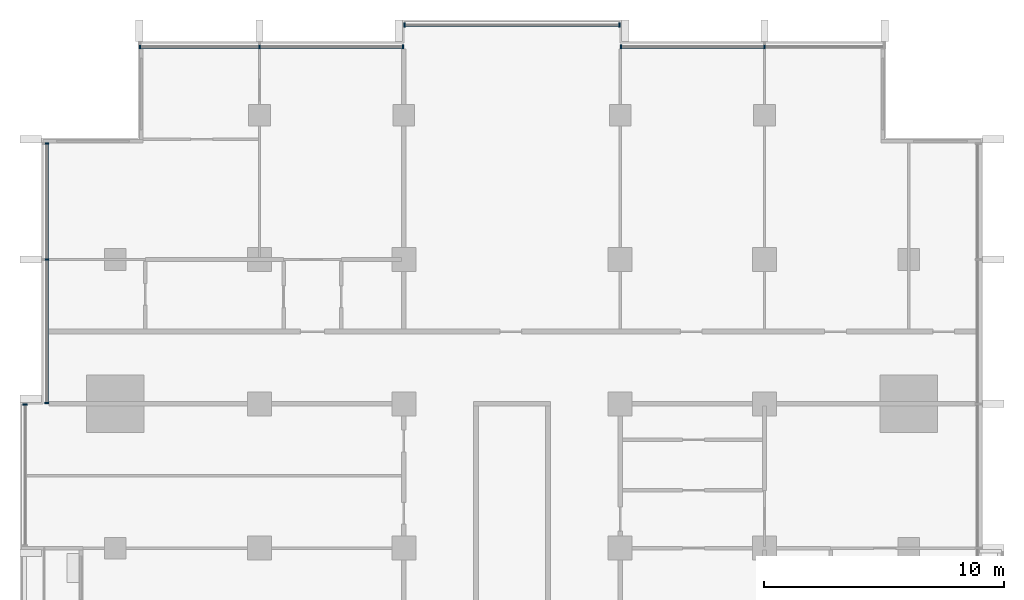
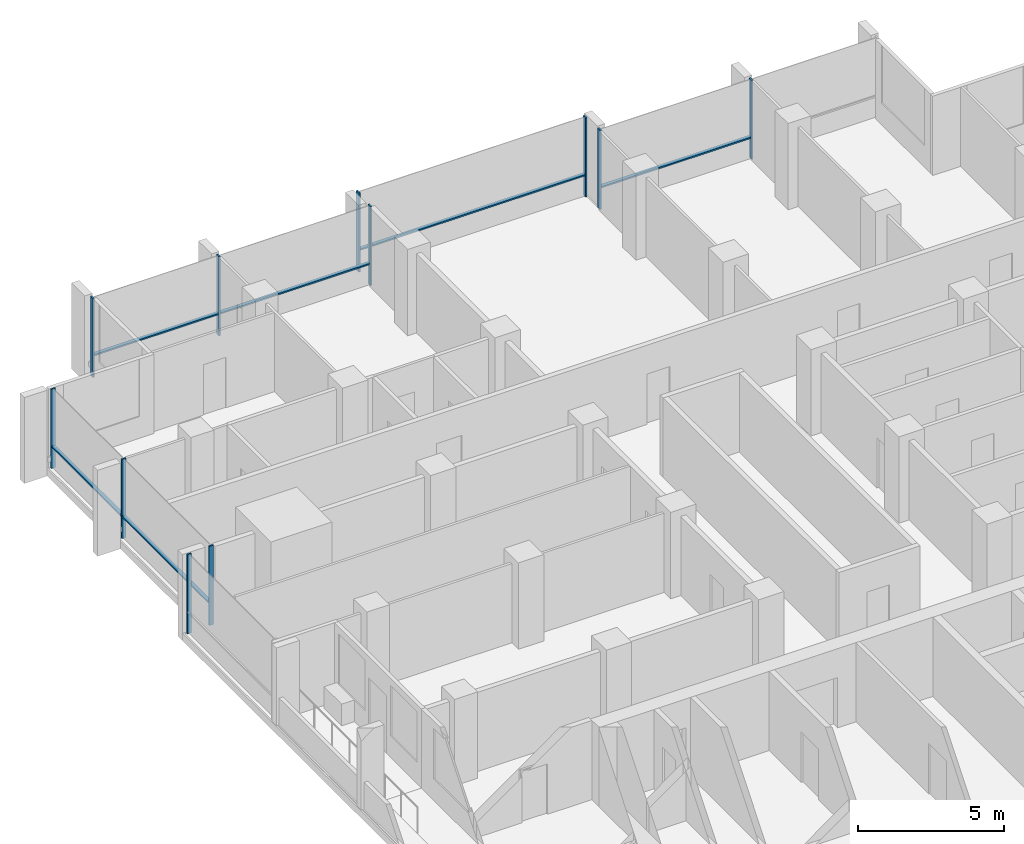
# One storey, part 4 of 16: 17 members, 5 elements without a shape of their own.
"""IFC4 building model written with IfcOpenShell, lengths in metres."""

from ifc_helpers import new_model, si_unit, direction, frame, origin, origin_2d, place, context, subcontext, project, spatial, rectangle, extrude, material, material_profile, profile_set, type_object, element, aggregate, save


model = new_model("IFC4")

# Units and contexts
model_context = context("Model", 3, precision=1e-05, world=origin(), true_north=direction((0.0, 1.0)))
body_context = subcontext(model_context, "Body", "Model", "MODEL_VIEW")
ifc_project = project(units=[si_unit("LENGTHUNIT", "METRE"), si_unit("AREAUNIT", "SQUARE_METRE"), si_unit("VOLUMEUNIT", "CUBIC_METRE"), si_unit("PLANEANGLEUNIT", "RADIAN"), si_unit("MASSUNIT", "GRAM", prefix="KILO")], contexts=[model_context])

# Site, building, storey
site_placement = place(None, origin())
site = spatial("IfcSite", under=ifc_project, at=site_placement, CompositionType="ELEMENT")
building_placement = place(site_placement, origin())
building = spatial("IfcBuilding", under=site, at=building_placement, Name="Finial Court Residences", CompositionType="ELEMENT")
storey_placement = place(building_placement, frame((0.0, 0.0, 188.89990234375)))
storey = spatial("IfcBuildingStorey", under=building, at=storey_placement, Name="L47", CompositionType="ELEMENT", Elevation=188.89990234375)

# Curtain wall, members
ifc_material = material(Name="Bronze anodised aluminium", Category="aluminium")
curtain_wall_type = type_object("IfcCurtainWallType", Name="Unitised curtain wall, upper zones", PredefinedType="NOTDEFINED", material=ifc_material)
curtain_wall_1_placement = place(storey_placement, origin())
curtain_wall_1 = element("IfcCurtainWall", 1, at=curtain_wall_1_placement, inside=storey, type_object=curtain_wall_type, Name="E-L47-CW-N1", PredefinedType="NOTDEFINED")
ifc_material_profile_1 = material_profile(ifc_material, rectangle(XDim=0.175048828125, YDim=0.06005859375, at=origin_2d()), Name="CW2 mullion 60 x 175")
ifc_profile_set_1 = profile_set([ifc_material_profile_1], Name="Bronze anodised aluminium")
member_type_1 = type_object("IfcMemberType", Name="CW2 mullion 60 x 175", PredefinedType="MULLION", material=ifc_profile_set_1)
member_1_placement = place(storey_placement, frame((-15.469970703125, 22.35009765625, 0.0), z_axis=(0.0, 0.0, 1.0), x_axis=(0.0, 1.0, 0.0)))
member_1 = element("IfcMember", 2, at=member_1_placement, type_object=member_type_1, Name="CW2 mullion 1", PredefinedType="MULLION", context=body_context, shape_type="SweptSolid", body=[
    extrude(rectangle(XDim=0.175048828125, YDim=0.06005859375, at=origin_2d()), origin(), (0.0, 0.0, 1.0), 3.300048828125),
])
member_2_placement = place(storey_placement, frame((-10.5, 22.35009765625, 0.0), z_axis=(0.0, 0.0, 1.0), x_axis=(0.0, 1.0, 0.0)))
member_2 = element("IfcMember", 3, at=member_2_placement, type_object=member_type_1, Name="CW2 mullion 2", PredefinedType="MULLION", context=body_context, shape_type="SweptSolid", body=[
    extrude(rectangle(XDim=0.175048828125, YDim=0.06005859375, at=origin_2d()), origin(), (0.0, 0.0, 1.0), 3.300048828125),
])
member_3_placement = place(storey_placement, frame((-4.530029296875, 22.35009765625, 0.0), z_axis=(0.0, 0.0, 1.0), x_axis=(0.0, 1.0, 0.0)))
member_3 = element("IfcMember", 4, at=member_3_placement, type_object=member_type_1, Name="CW2 mullion 3", PredefinedType="MULLION", context=body_context, shape_type="SweptSolid", body=[
    extrude(rectangle(XDim=0.175048828125, YDim=0.06005859375, at=origin_2d()), origin(), (0.0, 0.0, 1.0), 3.300048828125),
])

curtain_wall_2_placement = place(storey_placement, origin())
curtain_wall_2 = element("IfcCurtainWall", 5, at=curtain_wall_2_placement, inside=storey, type_object=curtain_wall_type, Name="E-L47-CW-N2", PredefinedType="NOTDEFINED")
member_4_placement = place(storey_placement, frame((-4.469970703125, 23.25, 0.0), z_axis=(0.0, 0.0, 1.0), x_axis=(0.0, 1.0, 0.0)))
member_4 = element("IfcMember", 6, at=member_4_placement, type_object=member_type_1, Name="CW2 mullion 1", PredefinedType="MULLION", context=body_context, shape_type="SweptSolid", body=[
    extrude(rectangle(XDim=0.175048828125, YDim=0.06005859375, at=origin_2d()), origin(), (0.0, 0.0, 1.0), 3.300048828125),
])
member_5_placement = place(storey_placement, frame((4.469970703125, 23.25, 0.0), z_axis=(0.0, 0.0, 1.0), x_axis=(0.0, 1.0, 0.0)))
member_5 = element("IfcMember", 7, at=member_5_placement, type_object=member_type_1, Name="CW2 mullion 2", PredefinedType="MULLION", context=body_context, shape_type="SweptSolid", body=[
    extrude(rectangle(XDim=0.175048828125, YDim=0.06005859375, at=origin_2d()), origin(), (0.0, 0.0, 1.0), 3.300048828125),
])

curtain_wall_3_placement = place(storey_placement, origin())
curtain_wall_3 = element("IfcCurtainWall", 8, at=curtain_wall_3_placement, inside=storey, type_object=curtain_wall_type, Name="E-L47-CW-N3", PredefinedType="NOTDEFINED")
member_6_placement = place(storey_placement, frame((4.530029296875, 22.35009765625, 0.0), z_axis=(0.0, 0.0, 1.0), x_axis=(0.0, 1.0, 0.0)))
member_6 = element("IfcMember", 9, at=member_6_placement, type_object=member_type_1, Name="CW2 mullion 1", PredefinedType="MULLION", context=body_context, shape_type="SweptSolid", body=[
    extrude(rectangle(XDim=0.175048828125, YDim=0.06005859375, at=origin_2d()), origin(), (0.0, 0.0, 1.0), 3.300048828125),
])
member_7_placement = place(storey_placement, frame((10.5, 22.35009765625, 0.0), z_axis=(0.0, 0.0, 1.0), x_axis=(0.0, 1.0, 0.0)))
member_7 = element("IfcMember", 10, at=member_7_placement, type_object=member_type_1, Name="CW2 mullion 2", PredefinedType="MULLION", context=body_context, shape_type="SweptSolid", body=[
    extrude(rectangle(XDim=0.175048828125, YDim=0.06005859375, at=origin_2d()), origin(), (0.0, 0.0, 1.0), 3.300048828125),
])

# Curtain wall, member
curtain_wall_4_placement = place(storey_placement, origin())
curtain_wall_4 = element("IfcCurtainWall", 11, at=curtain_wall_4_placement, inside=storey, type_object=curtain_wall_type, Name="E-L47-CW-W10", PredefinedType="NOTDEFINED")
member_8_placement = place(storey_placement, frame((-20.25, 7.469970703125, 0.0), z_axis=(0.0, 0.0, 1.0), x_axis=(-1.0, 0.0, 0.0)))
member_8 = element("IfcMember", 12, at=member_8_placement, type_object=member_type_1, Name="CW2 mullion 2", PredefinedType="MULLION", context=body_context, shape_type="SweptSolid", body=[
    extrude(rectangle(XDim=0.175048828125, YDim=0.06005859375, at=origin_2d()), origin(), (0.0, 0.0, 1.0), 3.300048828125),
])
aggregate(curtain_wall_4, [member_8])

# Curtain wall, members
curtain_wall_5_placement = place(storey_placement, origin())
curtain_wall_5 = element("IfcCurtainWall", 13, at=curtain_wall_5_placement, inside=storey, type_object=curtain_wall_type, Name="E-L47-CW-W11", PredefinedType="NOTDEFINED")
member_9_placement = place(storey_placement, frame((-19.35009765625, 7.530029296875, 0.0), z_axis=(0.0, 0.0, 1.0), x_axis=(-1.0, 0.0, 0.0)))
member_9 = element("IfcMember", 14, at=member_9_placement, type_object=member_type_1, Name="CW2 mullion 1", PredefinedType="MULLION", context=body_context, shape_type="SweptSolid", body=[
    extrude(rectangle(XDim=0.175048828125, YDim=0.06005859375, at=origin_2d()), origin(), (0.0, 0.0, 1.0), 3.300048828125),
])
member_10_placement = place(storey_placement, frame((-19.35009765625, 13.5, 0.0), z_axis=(0.0, 0.0, 1.0), x_axis=(-1.0, 0.0, 0.0)))
member_10 = element("IfcMember", 15, at=member_10_placement, type_object=member_type_1, Name="CW2 mullion 2", PredefinedType="MULLION", context=body_context, shape_type="SweptSolid", body=[
    extrude(rectangle(XDim=0.175048828125, YDim=0.06005859375, at=origin_2d()), origin(), (0.0, 0.0, 1.0), 3.300048828125),
])
member_11_placement = place(storey_placement, frame((-19.35009765625, 18.320068359375, 0.0), z_axis=(0.0, 0.0, 1.0), x_axis=(-1.0, 0.0, 0.0)))
member_11 = element("IfcMember", 16, at=member_11_placement, type_object=member_type_1, Name="CW2 mullion 3", PredefinedType="MULLION", context=body_context, shape_type="SweptSolid", body=[
    extrude(rectangle(XDim=0.175048828125, YDim=0.06005859375, at=origin_2d()), origin(), (0.0, 0.0, 1.0), 3.300048828125),
])

# Member
ifc_material_profile_2 = material_profile(ifc_material, rectangle(XDim=0.139892578125, YDim=0.06005859375, at=origin_2d()), Name="CW2 transom 60 x 140")
ifc_profile_set_2 = profile_set([ifc_material_profile_2], Name="Bronze anodised aluminium")
member_type_2 = type_object("IfcMemberType", Name="CW2 transom 60 x 140", PredefinedType="USERDEFINED", material=ifc_profile_set_2)
member_12_placement = place(storey_placement, frame((-15.43994140625, 22.35009765625, 0.900146484375), z_axis=(1.0, 0.0, 0.0), x_axis=(0.0, 1.0, 0.0)))
member_12 = element("IfcMember", 17, at=member_12_placement, type_object=member_type_2, Name="CW2 transom 1.1", ObjectType="TRANSOM", PredefinedType="USERDEFINED", context=body_context, shape_type="SweptSolid", body=[
    extrude(rectangle(XDim=0.139892578125, YDim=0.06005859375, at=origin_2d()), origin(), (0.0, 0.0, 1.0), 4.909912109375),
])

member_13_placement = place(storey_placement, frame((-10.469970703125, 22.35009765625, 0.900146484375), z_axis=(1.0, 0.0, 0.0), x_axis=(0.0, 1.0, 0.0)))
member_13 = element("IfcMember", 18, at=member_13_placement, type_object=member_type_2, Name="CW2 transom 2.1", ObjectType="TRANSOM", PredefinedType="USERDEFINED", context=body_context, shape_type="SweptSolid", body=[
    extrude(rectangle(XDim=0.139892578125, YDim=0.06005859375, at=origin_2d()), origin(), (0.0, 0.0, 1.0), 5.909912109375),
])

aggregate(curtain_wall_1, [member_1, member_2, member_3, member_12, member_13])

member_14_placement = place(storey_placement, frame((-4.43994140625, 23.25, 0.900146484375), z_axis=(1.0, 0.0, 0.0), x_axis=(0.0, 1.0, 0.0)))
member_14 = element("IfcMember", 19, at=member_14_placement, type_object=member_type_2, Name="CW2 transom 1.1", ObjectType="TRANSOM", PredefinedType="USERDEFINED", context=body_context, shape_type="SweptSolid", body=[
    extrude(rectangle(XDim=0.139892578125, YDim=0.06005859375, at=origin_2d()), origin(), (0.0, 0.0, 1.0), 8.8798828125),
])

aggregate(curtain_wall_2, [member_4, member_5, member_14])

member_15_placement = place(storey_placement, frame((4.56005859375, 22.35009765625, 0.900146484375), z_axis=(1.0, 0.0, 0.0), x_axis=(0.0, 1.0, 0.0)))
member_15 = element("IfcMember", 20, at=member_15_placement, type_object=member_type_2, Name="CW2 transom 1.1", ObjectType="TRANSOM", PredefinedType="USERDEFINED", context=body_context, shape_type="SweptSolid", body=[
    extrude(rectangle(XDim=0.139892578125, YDim=0.06005859375, at=origin_2d()), origin(), (0.0, 0.0, 1.0), 5.909912109375),
])

aggregate(curtain_wall_3, [member_6, member_7, member_15])

member_16_placement = place(storey_placement, frame((-19.35009765625, 7.56005859375, 0.900146484375), z_axis=(0.0, 1.0, 0.0), x_axis=(-1.0, 0.0, 0.0)))
member_16 = element("IfcMember", 21, at=member_16_placement, type_object=member_type_2, Name="CW2 transom 1.1", ObjectType="TRANSOM", PredefinedType="USERDEFINED", context=body_context, shape_type="SweptSolid", body=[
    extrude(rectangle(XDim=0.139892578125, YDim=0.06005859375, at=origin_2d()), origin(), (0.0, 0.0, 1.0), 5.909912109375),
])

member_17_placement = place(storey_placement, frame((-19.35009765625, 13.530029296875, 0.900146484375), z_axis=(0.0, 1.0, 0.0), x_axis=(-1.0, 0.0, 0.0)))
member_17 = element("IfcMember", 22, at=member_17_placement, type_object=member_type_2, Name="CW2 transom 2.1", ObjectType="TRANSOM", PredefinedType="USERDEFINED", context=body_context, shape_type="SweptSolid", body=[
    extrude(rectangle(XDim=0.139892578125, YDim=0.06005859375, at=origin_2d()), origin(), (0.0, 0.0, 1.0), 4.760009765625),
])

aggregate(curtain_wall_5, [member_9, member_10, member_11, member_16, member_17])

save(model, "model.ifc")
